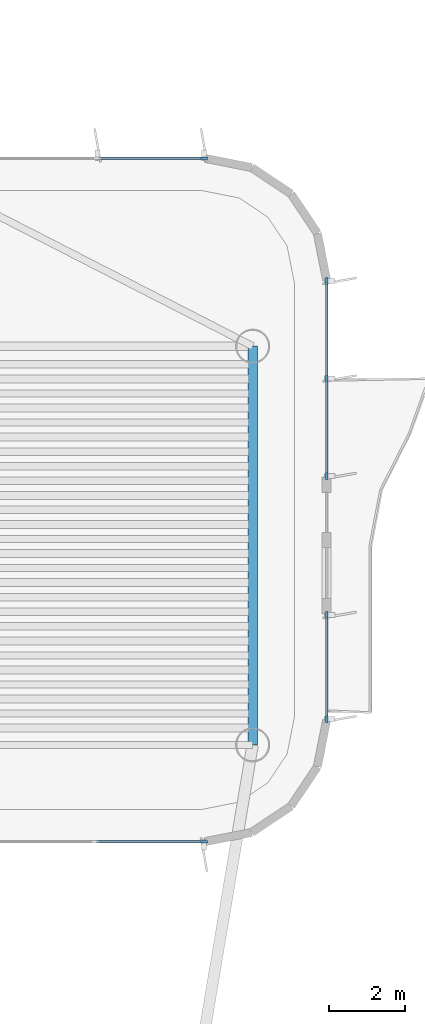
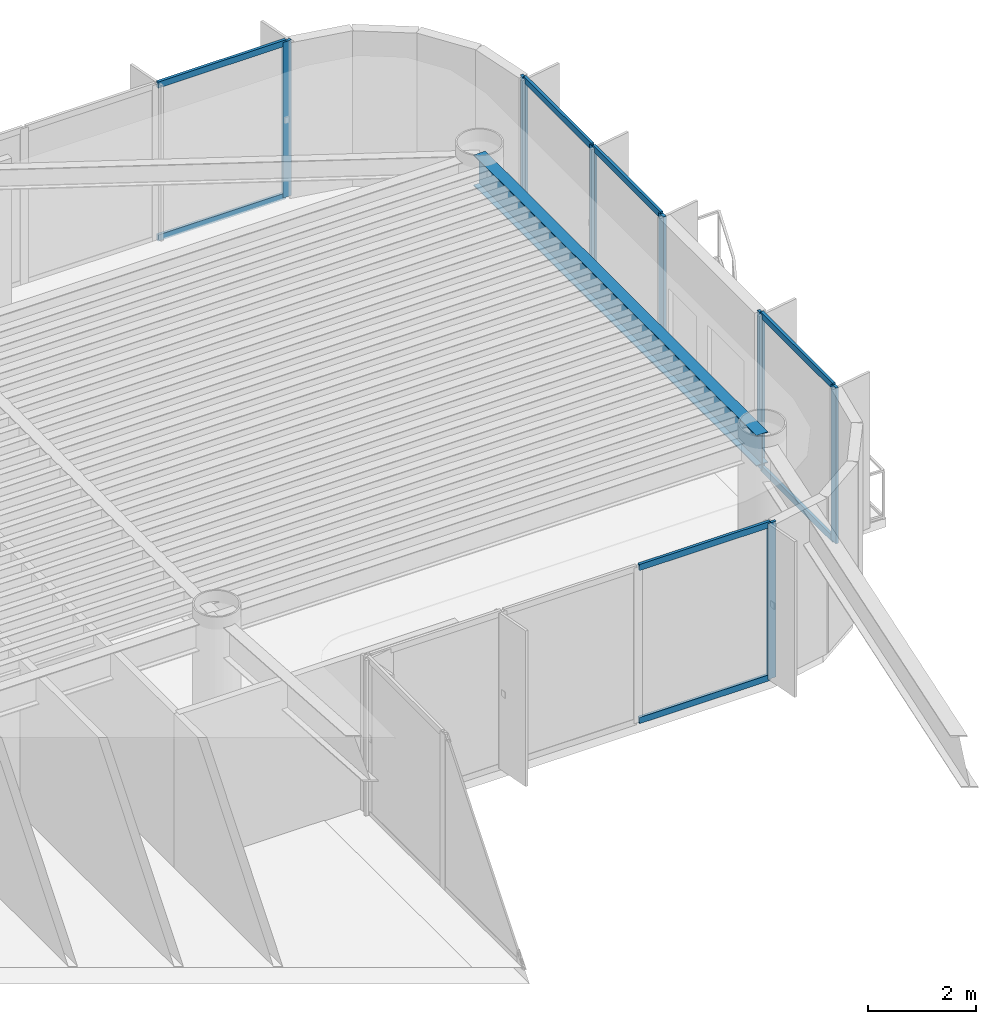
# One storey, part 8 of 14: 17 members, 1 beam, 4 elements without a shape of their own.
"""IFC4 building model written with IfcOpenShell, lengths in metres."""

from ifc_helpers import new_model, si_unit, direction, frame, origin, origin_2d, place, context, subcontext, project, spatial, rectangle, i_section, extrude, source, transform, mapped, material, layer, layer_set, material_profile, profile_set, type_object, element, aggregate, save


model = new_model("IFC4")

# Units and contexts
model_context = context("Model", 3, precision=1e-05, world=origin(), true_north=direction((0.0, 1.0)))
body_context = subcontext(model_context, "Body", "Model", "MODEL_VIEW")
ifc_project = project(units=[si_unit("LENGTHUNIT", "METRE"), si_unit("AREAUNIT", "SQUARE_METRE"), si_unit("VOLUMEUNIT", "CUBIC_METRE"), si_unit("PLANEANGLEUNIT", "RADIAN"), si_unit("MASSUNIT", "GRAM", prefix="KILO")], contexts=[model_context])

# Site, building, storey
site_placement = place(None, origin())
site = spatial("IfcSite", under=ifc_project, at=site_placement, CompositionType="ELEMENT")
building_placement = place(site_placement, origin())
building = spatial("IfcBuilding", under=site, at=building_placement, Name="Brelvock Crest Care Tower", CompositionType="ELEMENT")
storey_placement = place(building_placement, frame((0.0, 0.0, 253.260009765625)))
storey = spatial("IfcBuildingStorey", under=building, at=storey_placement, Name="L64", CompositionType="ELEMENT", Elevation=253.260009765625)

# Beam
ifc_material_1 = material(Name="Steel Grade 350", Category="steel")
ifc_material_profile_1 = material_profile(ifc_material_1, i_section(OverallWidth=0.25, OverallDepth=0.699951171875, WebThickness=0.011962890625, FlangeThickness=0.02001953125, at=origin_2d()), Name="700WB150")
ifc_profile_set_1 = profile_set([ifc_material_profile_1], Name="Steel Grade 350")
beam_type = type_object("IfcBeamType", Name="BM-G4", PredefinedType="BEAM", material=ifc_profile_set_1)
shared_shape_1 = source(origin(), body_context, "Body", "SweptSolid", [
    extrude(i_section(OverallWidth=0.25, OverallDepth=0.699951171875, WebThickness=0.011962890625, FlangeThickness=0.02001953125, at=origin_2d()), origin(), (0.0, 0.0, 1.0), 10.5),
])
beam_placement = place(storey_placement, frame((52.35009765625, 43.949951171875, 3.179931640625), z_axis=(0.0, 1.0, 0.0), x_axis=(-1.0, 0.0, 0.0)))
element("IfcBeam", 1, at=beam_placement, inside=storey, type_object=beam_type, Name="BM-TWR-L64-02", PredefinedType="BEAM", context=body_context, shape_type="MappedRepresentation", body=[
    mapped(shared_shape_1, transform((0.0, 0.0, 0.0), x_axis=(1.0, 0.0, 0.0), y_axis=(0.0, 1.0, 0.0), z_axis=(0.0, 0.0, 1.0), scale=1.0)),
])

# Curtain wall, member
ifc_material_2 = material(Name="Dark Glass Double Glazed Low-E", Category="glass")
ifc_layer = layer(ifc_material_2, 0.239990234375, Name="CWS-5")
ifc_layer_set = layer_set([ifc_layer], Name="Dark Glass Double Glazed Low-E")
curtain_wall_type = type_object("IfcCurtainWallType", Name="CWS-5", PredefinedType="NOTDEFINED", material=ifc_layer_set)
curtain_wall_1_placement = place(storey_placement, origin())
curtain_wall_1 = element("IfcCurtainWall", 2, at=curtain_wall_1_placement, inside=storey, type_object=curtain_wall_type, Name="L64 Curtain Wall E34", PredefinedType="NOTDEFINED")
ifc_material_3 = material(Name="Aluminium 6063-T6", Category="aluminium")
ifc_material_profile_2 = material_profile(ifc_material_3, rectangle(XDim=0.06005859375, YDim=0.179931640625, at=origin_2d()), Name="ALU60x180")
ifc_profile_set_2 = profile_set([ifc_material_profile_2], Name="Aluminium 6063-T6")
member_type_1 = type_object("IfcMemberType", Name="CWM-2", PredefinedType="MULLION", material=ifc_profile_set_2)
shared_shape_2 = source(origin(), body_context, "Body", "SweptSolid", [
    extrude(rectangle(XDim=0.06005859375, YDim=0.179931640625, at=origin_2d()), origin(), (0.0, 0.0, 1.0), 3.530029296875),
])
member_1_placement = place(storey_placement, frame((51.070068359375, 59.39990234375, 0.0), z_axis=(0.0, 0.0, 1.0), x_axis=(0.0, 1.0, 0.0)))
member_1 = element("IfcMember", 3, at=member_1_placement, type_object=member_type_1, Name="CW-5 mullion 4", PredefinedType="MULLION", context=body_context, shape_type="MappedRepresentation", body=[
    mapped(shared_shape_2, transform((0.0, 0.0, 0.0), x_axis=(1.0, 0.0, 0.0), y_axis=(0.0, 1.0, 0.0), z_axis=(0.0, 0.0, 1.0), scale=1.0)),
])

# Curtain wall, members
curtain_wall_2_placement = place(storey_placement, origin())
curtain_wall_2 = element("IfcCurtainWall", 4, at=curtain_wall_2_placement, inside=storey, type_object=curtain_wall_type, Name="L64 Curtain Wall E39A", PredefinedType="NOTDEFINED")
member_2_placement = place(storey_placement, frame((54.300048828125, 56.169921875, 0.0), z_axis=(0.0, 0.0, 1.0), x_axis=(1.0, 0.0, 0.0)))
member_2 = element("IfcMember", 5, at=member_2_placement, type_object=member_type_1, Name="CW-5 mullion 1", PredefinedType="MULLION", context=body_context, shape_type="MappedRepresentation", body=[
    mapped(shared_shape_2, transform((0.0, 0.0, 0.0), x_axis=(1.0, 0.0, 0.0), y_axis=(0.0, 1.0, 0.0), z_axis=(0.0, 0.0, 1.0), scale=1.0)),
])
member_3_placement = place(storey_placement, frame((54.300048828125, 53.60009765625, 0.0), z_axis=(0.0, 0.0, 1.0), x_axis=(1.0, 0.0, 0.0)))
member_3 = element("IfcMember", 6, at=member_3_placement, type_object=member_type_1, Name="CW-5 mullion 2", PredefinedType="MULLION", context=body_context, shape_type="MappedRepresentation", body=[
    mapped(shared_shape_2, transform((0.0, 0.0, 0.0), x_axis=(1.0, 0.0, 0.0), y_axis=(0.0, 1.0, 0.0), z_axis=(0.0, 0.0, 1.0), scale=1.0)),
])
member_4_placement = place(storey_placement, frame((54.300048828125, 51.030029296875, 0.0), z_axis=(0.0, 0.0, 1.0), x_axis=(1.0, 0.0, 0.0)))
member_4 = element("IfcMember", 7, at=member_4_placement, type_object=member_type_1, Name="CW-5 mullion 3", PredefinedType="MULLION", context=body_context, shape_type="MappedRepresentation", body=[
    mapped(shared_shape_2, transform((0.0, 0.0, 0.0), x_axis=(1.0, 0.0, 0.0), y_axis=(0.0, 1.0, 0.0), z_axis=(0.0, 0.0, 1.0), scale=1.0)),
])

curtain_wall_3_placement = place(storey_placement, origin())
curtain_wall_3 = element("IfcCurtainWall", 8, at=curtain_wall_3_placement, inside=storey, type_object=curtain_wall_type, Name="L64 Curtain Wall E39B", PredefinedType="NOTDEFINED")
member_5_placement = place(storey_placement, frame((54.300048828125, 47.3701171875, 0.0), z_axis=(0.0, 0.0, 1.0), x_axis=(1.0, 0.0, 0.0)))
member_5 = element("IfcMember", 9, at=member_5_placement, type_object=member_type_1, Name="CW-5 mullion 1", PredefinedType="MULLION", context=body_context, shape_type="MappedRepresentation", body=[
    mapped(shared_shape_2, transform((0.0, 0.0, 0.0), x_axis=(1.0, 0.0, 0.0), y_axis=(0.0, 1.0, 0.0), z_axis=(0.0, 0.0, 1.0), scale=1.0)),
])
member_6_placement = place(storey_placement, frame((54.300048828125, 44.6298828125, 0.0), z_axis=(0.0, 0.0, 1.0), x_axis=(1.0, 0.0, 0.0)))
member_6 = element("IfcMember", 10, at=member_6_placement, type_object=member_type_1, Name="CW-5 mullion 2", PredefinedType="MULLION", context=body_context, shape_type="MappedRepresentation", body=[
    mapped(shared_shape_2, transform((0.0, 0.0, 0.0), x_axis=(1.0, 0.0, 0.0), y_axis=(0.0, 1.0, 0.0), z_axis=(0.0, 0.0, 1.0), scale=1.0)),
])

# Curtain wall, member
curtain_wall_4_placement = place(storey_placement, origin())
curtain_wall_4 = element("IfcCurtainWall", 11, at=curtain_wall_4_placement, inside=storey, type_object=curtain_wall_type, Name="L64 Curtain Wall E44", PredefinedType="NOTDEFINED")
member_7_placement = place(storey_placement, frame((51.070068359375, 41.39990234375, 0.0), z_axis=(0.0, 0.0, 1.0), x_axis=(0.0, -1.0, 0.0)))
member_7 = element("IfcMember", 12, at=member_7_placement, type_object=member_type_1, Name="CW-5 mullion 1", PredefinedType="MULLION", context=body_context, shape_type="MappedRepresentation", body=[
    mapped(shared_shape_2, transform((0.0, 0.0, 0.0), x_axis=(1.0, 0.0, 0.0), y_axis=(0.0, 1.0, 0.0), z_axis=(0.0, 0.0, 1.0), scale=1.0)),
])

# Member
ifc_material_profile_3 = material_profile(ifc_material_3, rectangle(XDim=0.06005859375, YDim=0.139892578125, at=origin_2d()), Name="ALU60x140")
ifc_profile_set_3 = profile_set([ifc_material_profile_3], Name="Aluminium 6063-T6")
member_type_2 = type_object("IfcMemberType", Name="CWT-2", PredefinedType="USERDEFINED", material=ifc_profile_set_3)
shared_shape_3 = source(origin(), body_context, "Body", "SweptSolid", [
    extrude(rectangle(XDim=0.06005859375, YDim=0.139892578125, at=origin_2d()), origin(), (0.0, 0.0, 1.0), 2.510009765625),
])
member_8_placement = place(storey_placement, frame((54.300048828125, 56.139892578125, 0.030029296875), z_axis=(0.0, -1.0, 0.0), x_axis=(1.0, 0.0, 0.0)))
member_8 = element("IfcMember", 13, at=member_8_placement, type_object=member_type_2, Name="CW-5 transom 1.1", ObjectType="TRANSOM", PredefinedType="USERDEFINED", context=body_context, shape_type="MappedRepresentation", body=[
    mapped(shared_shape_3, transform((0.0, 0.0, 0.0), x_axis=(1.0, 0.0, 0.0), y_axis=(0.0, 1.0, 0.0), z_axis=(0.0, 0.0, 1.0), scale=1.0)),
])

member_9_placement = place(storey_placement, frame((54.300048828125, 56.139892578125, 3.5), z_axis=(0.0, -1.0, 0.0), x_axis=(1.0, 0.0, 0.0)))
member_9 = element("IfcMember", 14, at=member_9_placement, type_object=member_type_2, Name="CW-5 transom 1.2", ObjectType="TRANSOM", PredefinedType="USERDEFINED", context=body_context, shape_type="MappedRepresentation", body=[
    mapped(shared_shape_3, transform((0.0, 0.0, 0.0), x_axis=(1.0, 0.0, 0.0), y_axis=(0.0, 1.0, 0.0), z_axis=(0.0, 0.0, 1.0), scale=1.0)),
])

member_10_placement = place(storey_placement, frame((54.300048828125, 53.570068359375, 0.030029296875), z_axis=(0.0, -1.0, 0.0), x_axis=(1.0, 0.0, 0.0)))
member_10 = element("IfcMember", 15, at=member_10_placement, type_object=member_type_2, Name="CW-5 transom 2.1", ObjectType="TRANSOM", PredefinedType="USERDEFINED", context=body_context, shape_type="MappedRepresentation", body=[
    mapped(shared_shape_3, transform((0.0, 0.0, 0.0), x_axis=(1.0, 0.0, 0.0), y_axis=(0.0, 1.0, 0.0), z_axis=(0.0, 0.0, 1.0), scale=1.0)),
])

member_11_placement = place(storey_placement, frame((54.300048828125, 53.570068359375, 3.5), z_axis=(0.0, -1.0, 0.0), x_axis=(1.0, 0.0, 0.0)))
member_11 = element("IfcMember", 16, at=member_11_placement, type_object=member_type_2, Name="CW-5 transom 2.2", ObjectType="TRANSOM", PredefinedType="USERDEFINED", context=body_context, shape_type="MappedRepresentation", body=[
    mapped(shared_shape_3, transform((0.0, 0.0, 0.0), x_axis=(1.0, 0.0, 0.0), y_axis=(0.0, 1.0, 0.0), z_axis=(0.0, 0.0, 1.0), scale=1.0)),
])

aggregate(curtain_wall_2, [member_2, member_3, member_4, member_8, member_9, member_10, member_11])

shared_shape_4 = source(origin(), body_context, "Body", "SweptSolid", [
    extrude(rectangle(XDim=0.06005859375, YDim=0.139892578125, at=origin_2d()), origin(), (0.0, 0.0, 1.0), 2.81005859375),
])
member_12_placement = place(storey_placement, frame((51.0400390625, 41.39990234375, 0.030029296875), z_axis=(-1.0, 0.0, 0.0), x_axis=(0.0, -1.0, 0.0)))
member_12 = element("IfcMember", 17, at=member_12_placement, type_object=member_type_2, Name="CW-5 transom 1.1", ObjectType="TRANSOM", PredefinedType="USERDEFINED", context=body_context, shape_type="MappedRepresentation", body=[
    mapped(shared_shape_4, transform((0.0, 0.0, 0.0), x_axis=(1.0, 0.0, 0.0), y_axis=(0.0, 1.0, 0.0), z_axis=(0.0, 0.0, 1.0), scale=1.0)),
])

member_13_placement = place(storey_placement, frame((51.0400390625, 41.39990234375, 3.5), z_axis=(-1.0, 0.0, 0.0), x_axis=(0.0, -1.0, 0.0)))
member_13 = element("IfcMember", 18, at=member_13_placement, type_object=member_type_2, Name="CW-5 transom 1.2", ObjectType="TRANSOM", PredefinedType="USERDEFINED", context=body_context, shape_type="MappedRepresentation", body=[
    mapped(shared_shape_4, transform((0.0, 0.0, 0.0), x_axis=(1.0, 0.0, 0.0), y_axis=(0.0, 1.0, 0.0), z_axis=(0.0, 0.0, 1.0), scale=1.0)),
])

aggregate(curtain_wall_4, [member_7, member_12, member_13])

shared_shape_5 = source(origin(), body_context, "Body", "SweptSolid", [
    extrude(rectangle(XDim=0.06005859375, YDim=0.139892578125, at=origin_2d()), origin(), (0.0, 0.0, 1.0), 2.743408203125),
])
member_14_placement = place(storey_placement, frame((48.296630859375, 59.39990234375, 0.030029296875), z_axis=(1.0, 0.0, 0.0), x_axis=(0.0, 1.0, 0.0)))
member_14 = element("IfcMember", 19, at=member_14_placement, type_object=member_type_2, Name="CW-5 transom 3.1", ObjectType="TRANSOM", PredefinedType="USERDEFINED", context=body_context, shape_type="MappedRepresentation", body=[
    mapped(shared_shape_5, transform((0.0, 0.0, 0.0), x_axis=(1.0, 0.0, 0.0), y_axis=(0.0, 1.0, 0.0), z_axis=(0.0, 0.0, 1.0), scale=1.0)),
])

member_15_placement = place(storey_placement, frame((48.296630859375, 59.39990234375, 3.5), z_axis=(1.0, 0.0, 0.0), x_axis=(0.0, 1.0, 0.0)))
member_15 = element("IfcMember", 20, at=member_15_placement, type_object=member_type_2, Name="CW-5 transom 3.2", ObjectType="TRANSOM", PredefinedType="USERDEFINED", context=body_context, shape_type="MappedRepresentation", body=[
    mapped(shared_shape_5, transform((0.0, 0.0, 0.0), x_axis=(1.0, 0.0, 0.0), y_axis=(0.0, 1.0, 0.0), z_axis=(0.0, 0.0, 1.0), scale=1.0)),
])

aggregate(curtain_wall_1, [member_1, member_14, member_15])

shared_shape_6 = source(origin(), body_context, "Body", "SweptSolid", [
    extrude(rectangle(XDim=0.06005859375, YDim=0.139892578125, at=origin_2d()), origin(), (0.0, 0.0, 1.0), 2.68017578125),
])
member_16_placement = place(storey_placement, frame((54.300048828125, 47.340087890625, 0.030029296875), z_axis=(0.0, -1.0, 0.0), x_axis=(1.0, 0.0, 0.0)))
member_16 = element("IfcMember", 21, at=member_16_placement, type_object=member_type_2, Name="CW-5 transom 1.1", ObjectType="TRANSOM", PredefinedType="USERDEFINED", context=body_context, shape_type="MappedRepresentation", body=[
    mapped(shared_shape_6, transform((0.0, 0.0, 0.0), x_axis=(1.0, 0.0, 0.0), y_axis=(0.0, 1.0, 0.0), z_axis=(0.0, 0.0, 1.0), scale=1.0)),
])

member_17_placement = place(storey_placement, frame((54.300048828125, 47.340087890625, 3.5), z_axis=(0.0, -1.0, 0.0), x_axis=(1.0, 0.0, 0.0)))
member_17 = element("IfcMember", 22, at=member_17_placement, type_object=member_type_2, Name="CW-5 transom 1.2", ObjectType="TRANSOM", PredefinedType="USERDEFINED", context=body_context, shape_type="MappedRepresentation", body=[
    mapped(shared_shape_6, transform((0.0, 0.0, 0.0), x_axis=(1.0, 0.0, 0.0), y_axis=(0.0, 1.0, 0.0), z_axis=(0.0, 0.0, 1.0), scale=1.0)),
])

aggregate(curtain_wall_3, [member_5, member_6, member_16, member_17])

save(model, "model.ifc")
